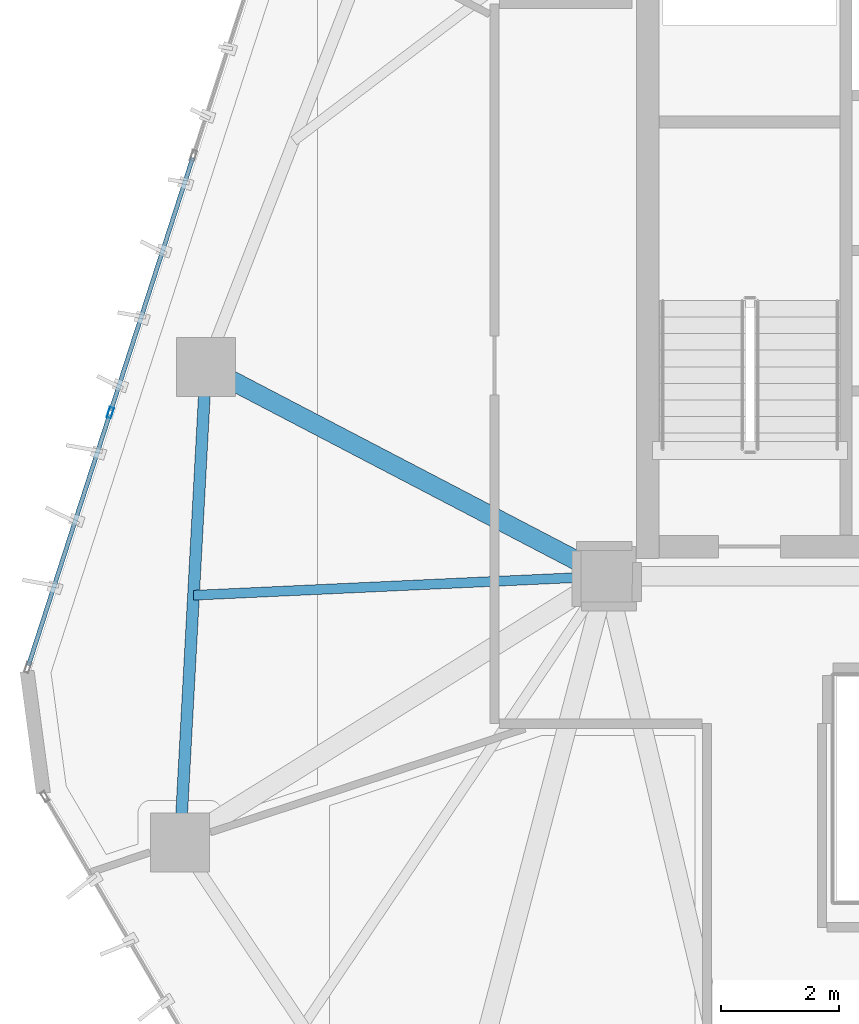
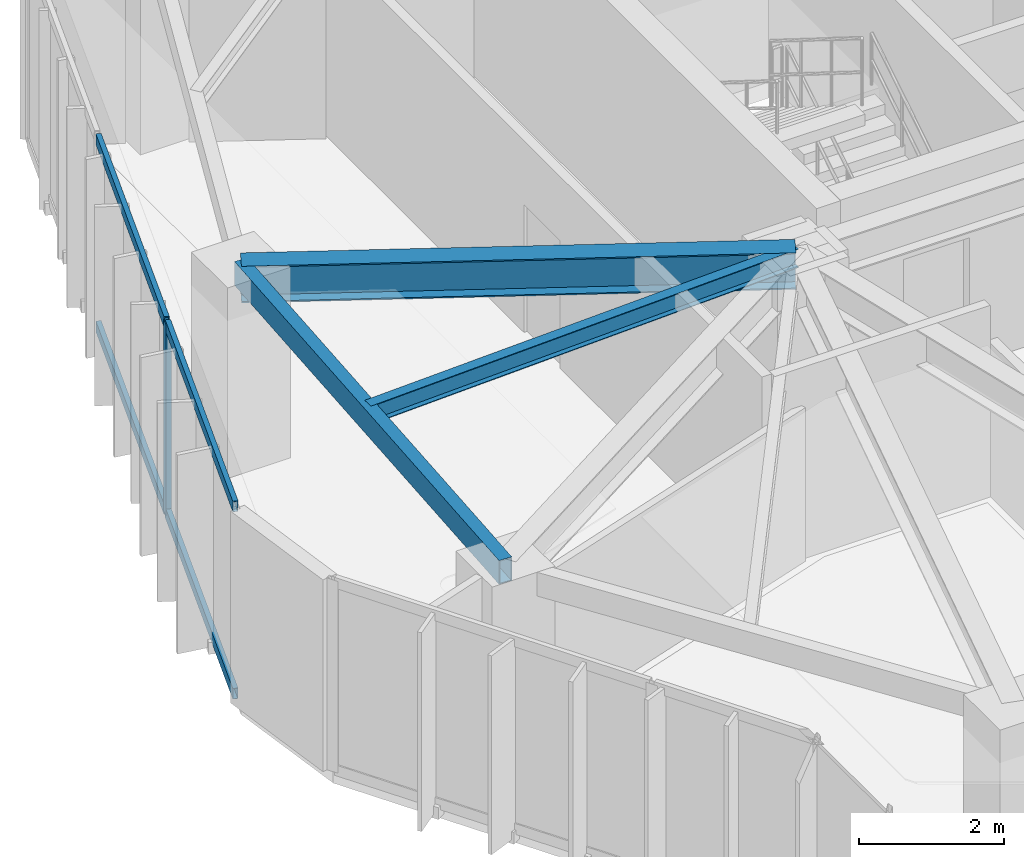
# One storey, part 7 of 19: 5 members, 3 beams, 1 element without a shape of its own.
"""IFC4 building model written with IfcOpenShell, lengths in metres."""

from ifc_helpers import new_model, si_unit, direction, frame, origin, origin_2d, place, context, subcontext, project, spatial, hollow_rectangle, i_section, extrude, source, transform, mapped, material, layer, layer_set, material_profile, profile_set, type_object, type_shapes, element, aggregate, save


model = new_model("IFC4")

# Units and contexts
model_context = context("Model", 3, precision=1e-05, world=origin(), true_north=direction((0.0, 1.0)))
body_context = subcontext(model_context, "Body", "Model", "MODEL_VIEW")
ifc_project = project(units=[si_unit("LENGTHUNIT", "METRE"), si_unit("AREAUNIT", "SQUARE_METRE"), si_unit("VOLUMEUNIT", "CUBIC_METRE"), si_unit("PLANEANGLEUNIT", "RADIAN"), si_unit("MASSUNIT", "GRAM", prefix="KILO")], contexts=[model_context])

# Site, building, storey
site_placement = place(None, origin())
site = spatial("IfcSite", under=ifc_project, at=site_placement, CompositionType="ELEMENT")
building_placement = place(site_placement, origin())
building = spatial("IfcBuilding", under=site, at=building_placement, Name="Talar Marvaseh", CompositionType="ELEMENT")
storey_placement = place(building_placement, frame((0.0, 0.0, 174.0)))
storey = spatial("IfcBuildingStorey", under=building, at=storey_placement, Name="L45", CompositionType="ELEMENT", Elevation=174.0)

# Beams
ifc_material_1 = material(Name="Steel S355", Category="steel")
ifc_material_profile_1 = material_profile(ifc_material_1, hollow_rectangle(XDim=0.199951171875, YDim=0.39990234375, WallThickness=0.013916015625, at=origin_2d()), Name="RHS400x200x14")
ifc_profile_set_1 = profile_set([ifc_material_profile_1], Name="Steel S355")
beam_type_1 = type_object("IfcBeamType", Name="Zone 3 Perimeter Spandrel Beam RHS400x200x14", PredefinedType="SPANDREL", material=ifc_profile_set_1)
beam_1_placement = place(storey_placement, frame((11.471923828125, 20.986083984375, 3.030029296875), z_axis=(0.054148078426, 0.998532916635, 0.0), x_axis=(-0.998532916635, 0.054148078426, 0.0)))
element("IfcBeam", 1, at=beam_1_placement, inside=storey, type_object=beam_type_1, Name="L45 Zone 3 Perimeter Spandrel Beam RHS400x200x14", PredefinedType="SPANDREL", context=body_context, shape_type="SweptSolid", body=[
    extrude(hollow_rectangle(XDim=0.199951171875, YDim=0.39990234375, WallThickness=0.013916015625, at=origin_2d()), origin(), (0.0, 0.0, 1.0), 8.070556640625),
])
ifc_material_profile_2 = material_profile(ifc_material_1, i_section(OverallWidth=0.324951171875, OverallDepth=0.615966796875, WebThickness=0.013916015625, FlangeThickness=0.021484375, at=origin_2d()), Name="W610x174")
ifc_profile_set_2 = profile_set([ifc_material_profile_2], Name="Steel S355")
beam_type_2 = type_object("IfcBeamType", Name="Zone 3 Radial Floor Girder W610x174", PredefinedType="BEAM", material=ifc_profile_set_2)
beam_2_placement = place(storey_placement, frame((11.908935546875, 29.044921875, 2.922119140625), z_axis=(0.886489360055, -0.462748975697, 0.0), x_axis=(0.462748975697, 0.886489360055, 0.0)))
element("IfcBeam", 2, at=beam_2_placement, inside=storey, type_object=beam_type_2, Name="L45 Zone 3 Radial Floor Girder W610x174", PredefinedType="BEAM", context=body_context, shape_type="SweptSolid", body=[
    extrude(i_section(OverallWidth=0.324951171875, OverallDepth=0.615966796875, WebThickness=0.013916015625, FlangeThickness=0.021484375, at=origin_2d()), origin(), (0.0, 0.0, 1.0), 7.66064453125),
])
ifc_material_profile_3 = material_profile(ifc_material_1, i_section(OverallWidth=0.166015625, OverallDepth=0.31298828125, WebThickness=0.006591796875, FlangeThickness=0.01123046875, at=origin_2d()), Name="W310x45")
ifc_profile_set_3 = profile_set([ifc_material_profile_3], Name="Steel S355")
beam_type_3 = type_object("IfcBeamType", Name="Zone 3 Secondary Floor Joist W310x45", PredefinedType="JOIST", material=ifc_profile_set_3)
beam_3_placement = place(storey_placement, frame((11.69921875, 25.1767578125, 3.073486328125), z_axis=(0.998935745755, 0.046123484826, 0.0), x_axis=(-0.046123484826, 0.998935745755, 0.0)))
element("IfcBeam", 3, at=beam_3_placement, inside=storey, type_object=beam_type_3, Name="L45 Zone 3 Secondary Floor Joist W310x45", PredefinedType="JOIST", context=body_context, shape_type="SweptSolid", body=[
    extrude(i_section(OverallWidth=0.166015625, OverallDepth=0.31298828125, WebThickness=0.006591796875, FlangeThickness=0.01123046875, at=origin_2d()), origin(), (0.0, 0.0, 1.0), 7.00830078125),
])

# Curtain wall, members
ifc_material_2 = material(Name="Architectural Aluminium", Category="aluminium")
ifc_layer = layer(ifc_material_2, 0.18994140625)
ifc_layer_set = layer_set([ifc_layer], Name="Architectural Aluminium")
curtain_wall_type = type_object("IfcCurtainWallType", Name="Unitised Solar Atelier Curtain Wall Z3", PredefinedType="NOTDEFINED", material=ifc_layer_set)
curtain_wall_placement = place(storey_placement, origin())
curtain_wall = element("IfcCurtainWall", 4, at=curtain_wall_placement, inside=storey, type_object=curtain_wall_type, Name="L45 Unitised Solar Atelier Curtain Wall Z3", PredefinedType="NOTDEFINED")
ifc_material_profile_4 = material_profile(ifc_material_2, hollow_rectangle(XDim=0.074951171875, YDim=0.179931640625, WallThickness=0.0048828125, at=origin_2d()), Name="RHS180x75x5")
ifc_profile_set_4 = profile_set([ifc_material_profile_4], Name="Architectural Aluminium")
member_type_1 = type_object("IfcMemberType", Name="Unitised Curtain Wall Standard Mullion RHS180x75x5", PredefinedType="MULLION", material=ifc_profile_set_4)
shared_shape_1 = source(origin(), body_context, "Body", "SweptSolid", [
    extrude(hollow_rectangle(XDim=0.074951171875, YDim=0.179931640625, WallThickness=0.0048828125, at=origin_2d()), origin(), (0.0, 0.0, 1.0), 3.22998046875),
])
type_shapes(member_type_1, [shared_shape_1])
member_1_placement = place(storey_placement, frame((10.288818359375, 28.271484375, 0.0), z_axis=(0.0, 0.0, 1.0), x_axis=(-0.951423501741, 0.307885238903, 0.0)))
member_1 = element("IfcMember", 5, at=member_1_placement, type_object=member_type_1, Name="CW-Z3 mullion 2", PredefinedType="MULLION", context=body_context, shape_type="MappedRepresentation", body=[
    mapped(shared_shape_1, transform((0.0, 0.0, 0.0), x_axis=(1.0, 0.0, 0.0), y_axis=(0.0, 1.0, 0.0), z_axis=(0.0, 0.0, 1.0), scale=1.0)),
])
ifc_material_profile_5 = material_profile(ifc_material_2, hollow_rectangle(XDim=0.074951171875, YDim=0.179931640625, WallThickness=0.0048828125, at=origin_2d()), Name="RHS180x75x5")
ifc_profile_set_5 = profile_set([ifc_material_profile_5], Name="Architectural Aluminium")
member_type_2 = type_object("IfcMemberType", Name="Unitised Curtain Wall Transom RHS180x75x5", PredefinedType="USERDEFINED", material=ifc_profile_set_5)
shared_shape_2 = source(origin(), body_context, "Body", "SweptSolid", [
    extrude(hollow_rectangle(XDim=0.074951171875, YDim=0.179931640625, WallThickness=0.0048828125, at=origin_2d()), origin(), (0.0, 0.0, 1.0), 4.46484375),
])
member_2_placement = place(storey_placement, frame((8.902587890625, 23.988037109375, 0.03759765625), z_axis=(0.307914917757, 0.951413897009, 0.0), x_axis=(-0.951413897009, 0.307914917757, 0.0)))
member_2 = element("IfcMember", 6, at=member_2_placement, type_object=member_type_2, Name="CW-Z3 transom 1.1", ObjectType="TRANSOM", PredefinedType="USERDEFINED", context=body_context, shape_type="MappedRepresentation", body=[
    mapped(shared_shape_2, transform((0.0, 0.0, 0.0), x_axis=(1.0, 0.0, 0.0), y_axis=(0.0, 1.0, 0.0), z_axis=(0.0, 0.0, 1.0), scale=1.0)),
])
member_3_placement = place(storey_placement, frame((8.902587890625, 23.988037109375, 3.1923828125), z_axis=(0.307914917757, 0.951413897009, 0.0), x_axis=(-0.951413897009, 0.307914917757, 0.0)))
member_3 = element("IfcMember", 7, at=member_3_placement, type_object=member_type_2, Name="CW-Z3 transom 1.2", ObjectType="TRANSOM", PredefinedType="USERDEFINED", context=body_context, shape_type="MappedRepresentation", body=[
    mapped(shared_shape_2, transform((0.0, 0.0, 0.0), x_axis=(1.0, 0.0, 0.0), y_axis=(0.0, 1.0, 0.0), z_axis=(0.0, 0.0, 1.0), scale=1.0)),
])
shared_shape_3 = source(origin(), body_context, "Body", "SweptSolid", [
    extrude(hollow_rectangle(XDim=0.074951171875, YDim=0.179931640625, WallThickness=0.0048828125, at=origin_2d()), origin(), (0.0, 0.0, 1.0), 4.50244140625),
])
type_shapes(member_type_2, [shared_shape_2, shared_shape_3])
member_4_placement = place(storey_placement, frame((10.30029296875, 28.30712890625, 0.03759765625), z_axis=(0.307886695874, 0.951423030257, 0.0), x_axis=(-0.951423030257, 0.307886695874, 0.0)))
member_4 = element("IfcMember", 8, at=member_4_placement, type_object=member_type_2, Name="CW-Z3 transom 2.1", ObjectType="TRANSOM", PredefinedType="USERDEFINED", context=body_context, shape_type="MappedRepresentation", body=[
    mapped(shared_shape_3, transform((0.0, 0.0, 0.0), x_axis=(1.0, 0.0, 0.0), y_axis=(0.0, 1.0, 0.0), z_axis=(0.0, 0.0, 1.0), scale=1.0)),
])
member_5_placement = place(storey_placement, frame((10.30029296875, 28.30712890625, 3.1923828125), z_axis=(0.307886695874, 0.951423030257, 0.0), x_axis=(-0.951423030257, 0.307886695874, 0.0)))
member_5 = element("IfcMember", 9, at=member_5_placement, type_object=member_type_2, Name="CW-Z3 transom 2.2", ObjectType="TRANSOM", PredefinedType="USERDEFINED", context=body_context, shape_type="MappedRepresentation", body=[
    mapped(shared_shape_3, transform((0.0, 0.0, 0.0), x_axis=(1.0, 0.0, 0.0), y_axis=(0.0, 1.0, 0.0), z_axis=(0.0, 0.0, 1.0), scale=1.0)),
])
aggregate(curtain_wall, [member_1, member_2, member_3, member_4, member_5])

save(model, "model.ifc")
